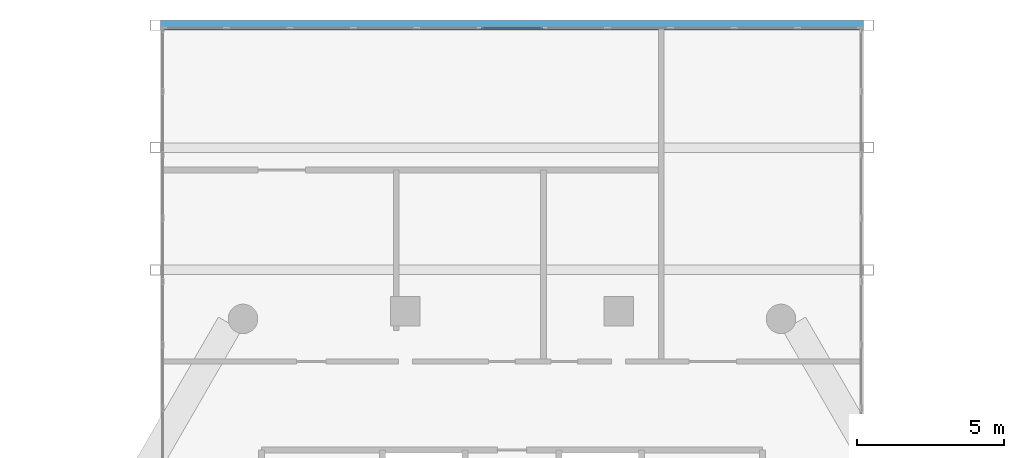
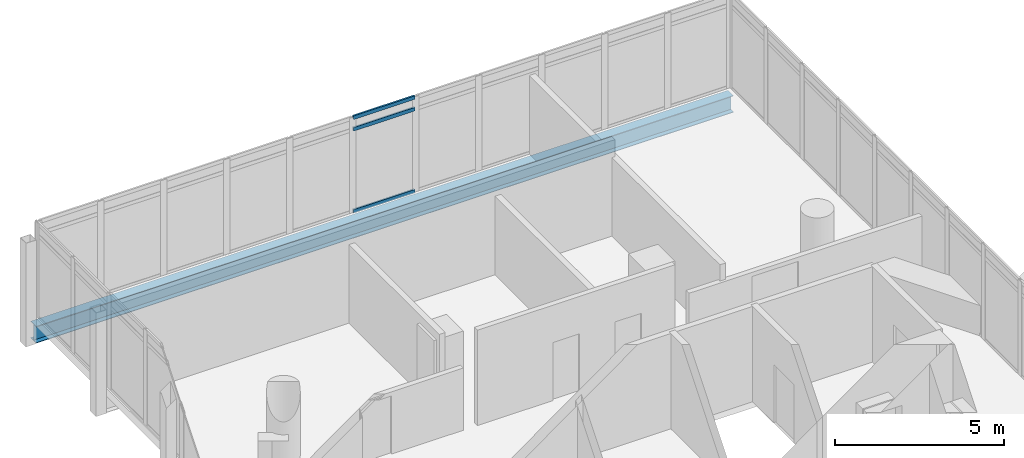
# One storey, part 18 of 29: 3 members, 1 beam, 1 element without a shape of its own.
"""IFC4 building model written with IfcOpenShell, lengths in metres."""

from ifc_helpers import new_model, si_unit, direction, frame, origin, origin_2d, place, context, subcontext, project, spatial, hollow_rectangle, i_section, extrude, material, material_profile, profile_set, type_object, element, aggregate, save


model = new_model("IFC4")

# Units and contexts
model_context = context("Model", 3, precision=1e-05, world=origin(), true_north=direction((0.0, 1.0)))
body_context = subcontext(model_context, "Body", "Model", "MODEL_VIEW")
ifc_project = project(units=[si_unit("LENGTHUNIT", "METRE"), si_unit("AREAUNIT", "SQUARE_METRE"), si_unit("VOLUMEUNIT", "CUBIC_METRE"), si_unit("PLANEANGLEUNIT", "RADIAN"), si_unit("MASSUNIT", "GRAM", prefix="KILO")], contexts=[model_context])

# Site, building, storey
site_placement = place(None, origin())
site = spatial("IfcSite", under=ifc_project, at=site_placement, CompositionType="ELEMENT")
building_placement = place(site_placement, origin())
building = spatial("IfcBuilding", under=site, at=building_placement, Name="Ostrander Bayou Hotel Tower", CompositionType="ELEMENT")
storey_placement = place(building_placement, frame((0.0, 0.0, 202.0)))
storey = spatial("IfcBuildingStorey", under=building, at=storey_placement, Name="L50", CompositionType="ELEMENT", Elevation=202.0)

# Curtain wall, members
ifc_material_1 = material(Name="Aluminium and clear glass", Category="aluminium")
curtain_wall_type = type_object("IfcCurtainWallType", Name="CW-BAR glazed wall", PredefinedType="NOTDEFINED", material=ifc_material_1)
curtain_wall_placement = place(storey_placement, origin())
curtain_wall = element("IfcCurtainWall", 1, at=curtain_wall_placement, inside=storey, type_object=curtain_wall_type, Name="CW-BAR L50:SB4N:T", PredefinedType="NOTDEFINED")
ifc_material_2 = material(Name="Aluminium", Category="aluminium")
ifc_material_profile_1 = material_profile(ifc_material_2, hollow_rectangle(XDim=0.06005859375, YDim=0.1298828125, WallThickness=0.00390625, at=origin_2d()))
ifc_profile_set_1 = profile_set([ifc_material_profile_1], Name="Aluminium")
member_type = type_object("IfcMemberType", Name="CW-BR transom 60 x 130 mm", PredefinedType="USERDEFINED", material=ifc_profile_set_1)
member_1_placement = place(storey_placement, frame((-1.0478515625, 27.916015625, 0.030029296875), z_axis=(1.0, 0.0, 0.0), x_axis=(0.0, 1.0, 0.0)))
member_1 = element("IfcMember", 2, at=member_1_placement, type_object=member_type, Name="CW-BAR transom 6.1", ObjectType="TRANSOM", PredefinedType="USERDEFINED", context=body_context, shape_type="SweptSolid", body=[
    extrude(hollow_rectangle(XDim=0.06005859375, YDim=0.1298828125, WallThickness=0.00390625, at=origin_2d()), origin(), (0.0, 0.0, 1.0), 2.095703125),
])
member_2_placement = place(storey_placement, frame((-1.0478515625, 27.916015625, 3.0), z_axis=(1.0, 0.0, 0.0), x_axis=(0.0, 1.0, 0.0)))
member_2 = element("IfcMember", 3, at=member_2_placement, type_object=member_type, Name="CW-BAR transom 6.2", ObjectType="TRANSOM", PredefinedType="USERDEFINED", context=body_context, shape_type="SweptSolid", body=[
    extrude(hollow_rectangle(XDim=0.06005859375, YDim=0.1298828125, WallThickness=0.00390625, at=origin_2d()), origin(), (0.0, 0.0, 1.0), 2.095703125),
])
member_3_placement = place(storey_placement, frame((-1.0478515625, 27.916015625, 3.419921875), z_axis=(1.0, 0.0, 0.0), x_axis=(0.0, 1.0, 0.0)))
member_3 = element("IfcMember", 4, at=member_3_placement, type_object=member_type, Name="CW-BAR transom 6.3", ObjectType="TRANSOM", PredefinedType="USERDEFINED", context=body_context, shape_type="SweptSolid", body=[
    extrude(hollow_rectangle(XDim=0.06005859375, YDim=0.1298828125, WallThickness=0.00390625, at=origin_2d()), origin(), (0.0, 0.0, 1.0), 2.095703125),
])
aggregate(curtain_wall, [member_1, member_2, member_3])

# Beam
ifc_material_3 = material(Name="Steel ASTM A992", Category="steel")
ifc_material_profile_2 = material_profile(ifc_material_3, i_section(OverallWidth=0.32373046875, OverallDepth=0.611083984375, WebThickness=0.0126953125, FlangeThickness=0.01904296875, at=origin_2d()))
ifc_profile_set_2 = profile_set([ifc_material_profile_2], Name="Steel ASTM A992")
beam_type = type_object("IfcBeamType", Name="TF2 bar floor beam W24x104", PredefinedType="BEAM", material=ifc_profile_set_2)
beam_placement = place(storey_placement, frame((-11.93212890625, 28.01611328125, -0.605712890625), z_axis=(1.0, 0.0, 0.0), x_axis=(0.0, 1.0, 0.0)))
element("IfcBeam", 5, at=beam_placement, inside=storey, type_object=beam_type, Name="TF2 SB4W L3-1", PredefinedType="BEAM", context=body_context, shape_type="SweptSolid", body=[
    extrude(i_section(OverallWidth=0.32373046875, OverallDepth=0.611083984375, WebThickness=0.0126953125, FlangeThickness=0.01904296875, at=origin_2d()), origin(), (0.0, 0.0, 1.0), 23.8642578125),
])

save(model, "model.ifc")
